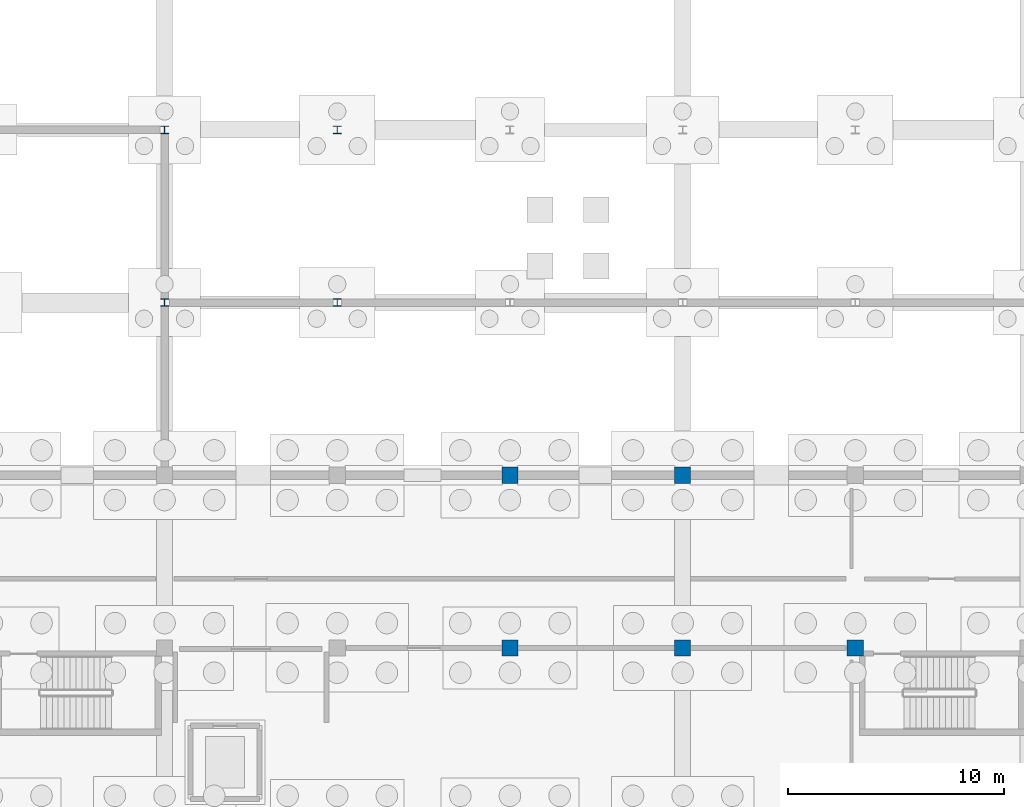
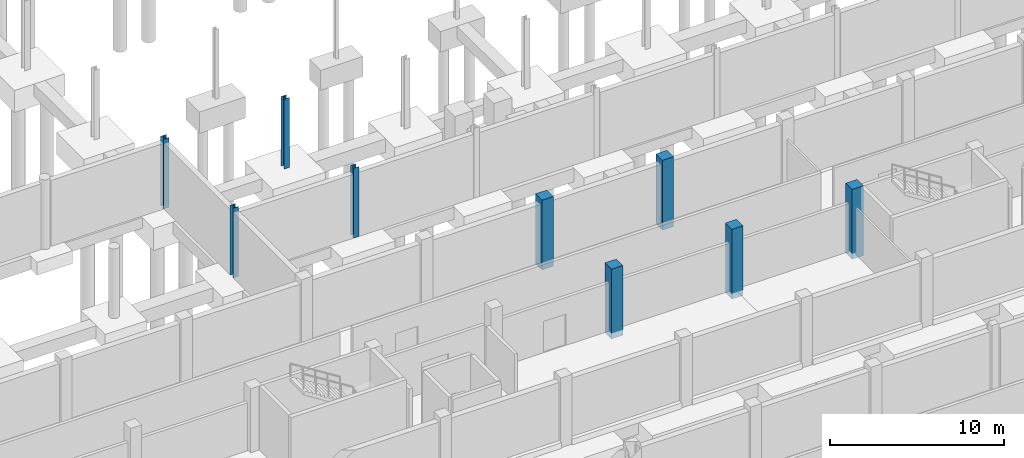
# One storey, part 23 of 51: 9 columns.
"""IFC4 building model written with IfcOpenShell, lengths in metres."""

from ifc_helpers import new_model, si_unit, direction, frame, origin, origin_2d, place, context, subcontext, project, spatial, rectangle, i_section, extrude, material, material_profile, profile_set, type_object, element, save


model = new_model("IFC4")

# Units and contexts
model_context = context("Model", 3, precision=1e-05, world=origin(), true_north=direction((0.0, 1.0)))
body_context = subcontext(model_context, "Body", "Model", "MODEL_VIEW")
ifc_project = project(units=[si_unit("LENGTHUNIT", "METRE"), si_unit("AREAUNIT", "SQUARE_METRE"), si_unit("VOLUMEUNIT", "CUBIC_METRE"), si_unit("PLANEANGLEUNIT", "RADIAN"), si_unit("MASSUNIT", "GRAM", prefix="KILO")], contexts=[model_context])

# Site, building, storey
site_placement = place(None, origin())
site = spatial("IfcSite", under=ifc_project, at=site_placement, CompositionType="ELEMENT")
building_placement = place(site_placement, origin())
building = spatial("IfcBuilding", under=site, at=building_placement, Name="Jelvoka-Kovrelna Polytechnic", CompositionType="ELEMENT")
storey_placement = place(building_placement, frame((0.0, 0.0, -4.5)))
storey = spatial("IfcBuildingStorey", under=building, at=storey_placement, Name="B01", CompositionType="ELEMENT", Elevation=-4.5)

# Columns
ifc_material_1 = material(Name="Concrete C40/50", Category="concrete")
ifc_material_profile_1 = material_profile(ifc_material_1, rectangle(XDim=0.75, YDim=0.75, at=origin_2d()), Name="RC 750x750")
ifc_profile_set_1 = profile_set([ifc_material_profile_1], Name="Concrete C40/50")
column_type_1 = type_object("IfcColumnType", Name="Col_RC_750", PredefinedType="COLUMN", material=ifc_profile_set_1)
for number, where, z_axis, x_axis, name in (
    (1, (104.0, 64.0, -0.405029296875), (0.0, 0.0, 1.0), (1.0, 0.0, 0.0), "B01 column 1195"),
    (2, (112.0, 64.0, -0.405029296875), (0.0, 0.0, 1.0), (1.0, 0.0, 0.0), "B01 column 1204"),
    (3, (120.0, 64.0, -0.405029296875), (0.0, 0.0, 1.0), (1.0, 0.0, 0.0), "B01 column 1213"),
    (4, (104.0, 72.0, -0.405029296875), (0.0, 0.0, 1.0), (1.0, 0.0, 0.0), "B01 column 1356"),
    (5, (112.0, 72.0, -0.405029296875), (0.0, 0.0, 1.0), (1.0, 0.0, 0.0), "B01 column 1365"),
):
    element("IfcColumn", number, at=place(storey_placement, frame(where, z_axis=z_axis, x_axis=x_axis)), inside=storey, type_object=column_type_1, Name=name, PredefinedType="COLUMN", context=body_context, shape_type="SweptSolid", body=[
        extrude(rectangle(XDim=0.75, YDim=0.75, at=origin_2d()), origin(), (0.0, 0.0, 1.0), 4.905029296875),
    ])
ifc_material_2 = material(Name="Structural steel S355JR", Category="steel")
ifc_material_profile_2 = material_profile(ifc_material_2, i_section(OverallWidth=0.36865234375, OverallDepth=0.355712890625, WebThickness=0.010498046875, FlangeThickness=0.017578125, FilletRadius=0.01513671875, at=origin_2d()), Name="356x368x129 UC")
ifc_profile_set_2 = profile_set([ifc_material_profile_2], Name="Structural steel S355JR")
column_type_2 = type_object("IfcColumnType", Name="Col_Steel_UC356", PredefinedType="COLUMN", material=ifc_profile_set_2)
for number, where, z_axis, x_axis, name in (
    (6, (88.0, 80.0, -0.405029296875), (0.0, 0.0, 1.0), (1.0, 0.0, 0.0), "B01 column 1476"),
    (7, (96.0, 80.0, -0.405029296875), (0.0, 0.0, 1.0), (1.0, 0.0, 0.0), "B01 column 1479"),
    (8, (88.0, 88.0, -0.405029296875), (0.0, 0.0, 1.0), (1.0, 0.0, 0.0), "B01 column 1531"),
    (9, (96.0, 88.0, -0.405029296875), (0.0, 0.0, 1.0), (1.0, 0.0, 0.0), "B01 column 1534"),
):
    element("IfcColumn", number, at=place(storey_placement, frame(where, z_axis=z_axis, x_axis=x_axis)), inside=storey, type_object=column_type_2, Name=name, PredefinedType="COLUMN", context=body_context, shape_type="SweptSolid", body=[
        extrude(i_section(OverallWidth=0.36865234375, OverallDepth=0.355712890625, WebThickness=0.010498046875, FlangeThickness=0.017578125, FilletRadius=0.01513671875, at=origin_2d()), origin(), (0.0, 0.0, 1.0), 4.905029296875),
    ])

save(model, "model.ifc")
